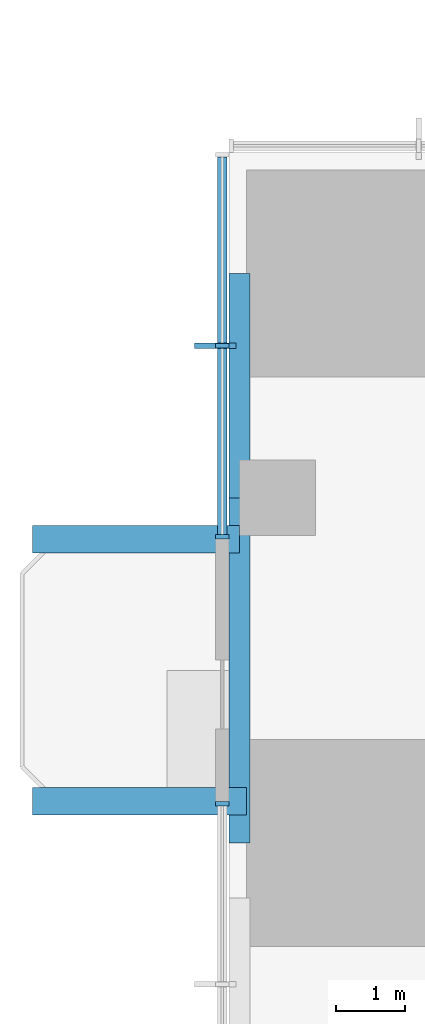
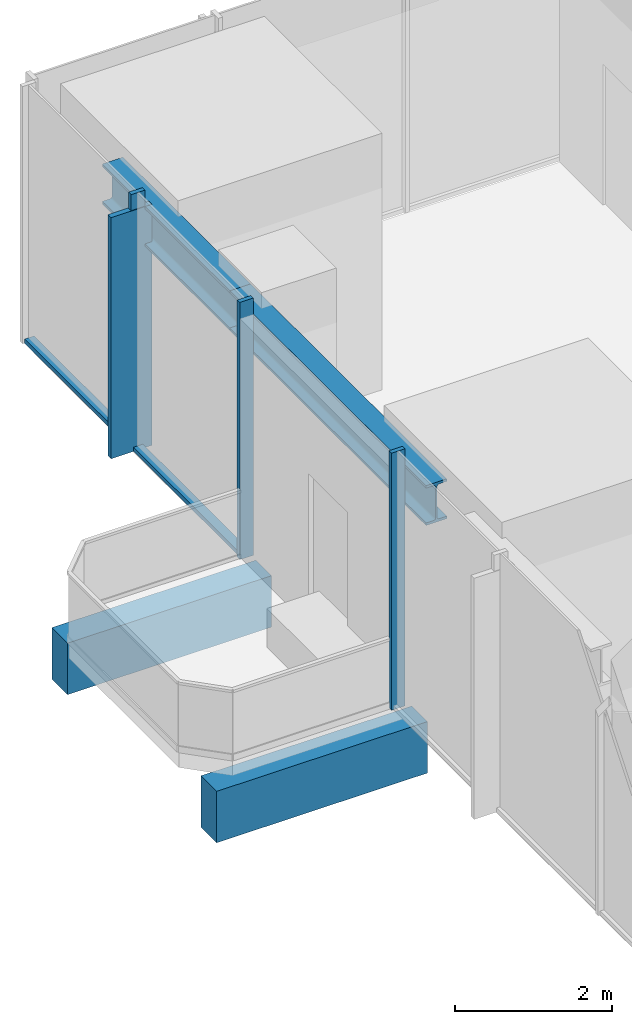
# One storey, part 3 of 13: 6 members, 4 beams, 2 elements without a shape of their own.
"""IFC4 building model written with IfcOpenShell, lengths in metres."""

import ifcopenshell
import ifcopenshell.guid

model = None  # the IFC model being written
_history = None  # IfcOwnerHistory: only IFC2X3 demands one
_inside = {}  # id of a spatial element -> (the spatial element, [elements in it])
_under = {}  # id of a project, library or spatial element -> (it, [spatial elements below it])
_declared = {}  # id of a project -> (the project, [libraries it declares])
_typed = {}  # id of a type object -> (the type object, [elements of that type])
_made_of = {}  # id of a material, layer set ... -> (it, [elements and type objects made of it])


def new_model(schema):
    """Start an empty IFC model of exactly this schema.

    Asked for "IFC4X3", IfcOpenShell would pick the latest addendum, in which some entities
    have other attributes; the version numbers below select the first issue.
    IFC2X3 requires an IfcOwnerHistory on every rooted entity: one is made here for all.
    """
    global model, _history
    if schema == "IFC4X3":
        model = ifcopenshell.file(schema_version=(4, 3, 0, 0))
    else:
        model = ifcopenshell.file(schema=schema)
    _inside.clear()
    _under.clear()
    _declared.clear()
    _typed.clear()
    _made_of.clear()
    _history = None
    if model.schema == "IFC2X3":
        org = make("IfcOrganization", Name="unknown")
        user = make(
            "IfcPersonAndOrganization",
            ThePerson=make("IfcPerson", FamilyName="unknown"),
            TheOrganization=org,
        )
        app = make(
            "IfcApplication",
            ApplicationDeveloper=org,
            Version="unknown",
            ApplicationFullName="unknown",
            ApplicationIdentifier="unknown",
        )
        _history = make(
            "IfcOwnerHistory",
            OwningUser=user,
            OwningApplication=app,
            ChangeAction="ADDED",
            CreationDate=0,
        )
    return model


def make(cls, **values):
    """One entity of the class cls with the attributes given. An attribute that is None is left unset."""
    return model.create_entity(
        cls, **{name: value for name, value in values.items() if value is not None}
    )


def rooted(cls, **values):
    """An entity with a GlobalId (a new one), such as an element, a storey or a relation."""
    return make(cls, GlobalId=ifcopenshell.guid.new(), OwnerHistory=_history, **values)


def si_unit(unit_type, name, prefix=None):
    """IfcSIUnit, for example si_unit("LENGTHUNIT", "METRE", prefix="MILLI")."""
    return make("IfcSIUnit", UnitType=unit_type, Prefix=prefix, Name=name)


def assignment(units):
    """IfcUnitAssignment: the units of a project."""
    return None if units is None else make("IfcUnitAssignment", Units=units)


def point(xyz):
    """IfcCartesianPoint."""
    return None if xyz is None else make("IfcCartesianPoint", Coordinates=xyz)


def direction(xyz):
    """IfcDirection."""
    return None if xyz is None else make("IfcDirection", DirectionRatios=xyz)


def frame(location, z_axis=None, x_axis=None):
    """IfcAxis2Placement3D, a coordinate frame: its origin and axes. An axis left out is left unset."""
    return make(
        "IfcAxis2Placement3D",
        Location=point(location),
        Axis=direction(z_axis),
        RefDirection=direction(x_axis),
    )


def frame_2d(location, x_axis=None):
    """IfcAxis2Placement2D, a coordinate frame in the plane: its origin and x axis."""
    return make(
        "IfcAxis2Placement2D", Location=point(location), RefDirection=direction(x_axis)
    )


def origin():
    """The frame at (0, 0, 0) with its axes left unset."""
    return frame((0.0, 0.0, 0.0))


def origin_2d():
    """The frame at (0, 0) in the plane with its x axis left unset."""
    return frame_2d((0.0, 0.0))


def place(relative_to, where):
    """IfcLocalPlacement: puts the frame where relative to a parent placement (None: the world)."""
    return make(
        "IfcLocalPlacement", PlacementRelTo=relative_to, RelativePlacement=where
    )


def context(
    kind, dimensions, precision=None, world=None, true_north=None, identifier=None
):
    """IfcGeometricRepresentationContext, for example the 3D "Model" context."""
    return make(
        "IfcGeometricRepresentationContext",
        ContextIdentifier=identifier,
        ContextType=kind,
        CoordinateSpaceDimension=dimensions,
        Precision=precision,
        WorldCoordinateSystem=world,
        TrueNorth=true_north,
    )


def subcontext(parent, identifier, kind, view, scale=None):
    """IfcGeometricRepresentationSubContext, for example "Body" below "Model"."""
    return make(
        "IfcGeometricRepresentationSubContext",
        ContextIdentifier=identifier,
        ContextType=kind,
        ParentContext=parent,
        TargetScale=scale,
        TargetView=view,
    )


def project(units=None, contexts=None):
    """IfcProject with its units and contexts."""
    return rooted(
        "IfcProject",
        Name="project",
        RepresentationContexts=contexts,
        UnitsInContext=assignment(units),
    )


def spatial(cls, under=None, at=None, **own):
    """A site, building, storey or space (cls), placed at a placement, below another one or the project."""
    s = rooted(cls, ObjectPlacement=at, **own)
    if under is not None:
        _under.setdefault(under.id(), (under, []))[1].append(s)
    return s


def profile(cls, at=None, kind="AREA", **sizes):
    """A parametric profile (cls). Its sizes go by their IFC names, for example OverallWidth=200.0."""
    return make(cls, ProfileType=kind, Position=at, **sizes)


def rectangle(**sizes):
    """IfcRectangleProfileDef."""
    return profile("IfcRectangleProfileDef", **sizes)


def i_section(**sizes):
    """IfcIShapeProfileDef."""
    return profile("IfcIShapeProfileDef", **sizes)


def extrude(swept, where, along, depth):
    """IfcExtrudedAreaSolid: the profile swept, set in the frame where, extruded along a direction by depth."""
    return make(
        "IfcExtrudedAreaSolid",
        SweptArea=swept,
        Position=where,
        ExtrudedDirection=direction(along),
        Depth=depth,
    )


def shape(context_of_items, identifier, shape_type, items):
    """IfcShapeRepresentation: the items that make up one representation, for example the "Body"."""
    return make(
        "IfcShapeRepresentation",
        ContextOfItems=context_of_items,
        RepresentationIdentifier=identifier,
        RepresentationType=shape_type,
        Items=items,
    )


def material(Name=None, Category=None):
    """IfcMaterial."""
    return make("IfcMaterial", Name=Name, Category=Category)


def material_profile(
    of_material, cross_section, Name=None, Category=None, Priority=None
):
    """IfcMaterialProfile: a cross section and its material."""
    return make(
        "IfcMaterialProfile",
        Name=Name,
        Material=of_material,
        Profile=cross_section,
        Priority=Priority,
        Category=Category,
    )


def profile_set(profiles, Name=None, composite=None):
    """IfcMaterialProfileSet."""
    return make(
        "IfcMaterialProfileSet",
        Name=Name,
        MaterialProfiles=profiles,
        CompositeProfile=composite,
    )


def made_of(thing, what):
    """Note that an element or type object is made of a material, layer set ...; save() writes the relation."""
    if what is not None:
        _made_of.setdefault(what.id(), (what, []))[1].append(thing)
    return thing


def type_object(cls, material=None, **own):
    """A type object (cls), such as IfcWallType, which elements share."""
    return made_of(rooted(cls, **own), material)


def element(
    cls,
    number,
    at=None,
    inside=None,
    cuts=None,
    type_object=None,
    material=None,
    context=None,
    identifier="Body",
    shape_type=None,
    held_by="IfcProductDefinitionShape",
    body=None,
    shapes=None,
    **own,
):
    """One element of the class cls, such as IfcWall. Its Tag is "e" and its number.

    at: its placement. inside: the storey or other place that contains it. cuts: it is an
    opening in that element (IfcRelVoidsElement). A single representation is given by context,
    identifier, shape_type and body (its items); several are given by shapes. held_by: the class
    of the entity that holds the representations. save() writes the other relations.
    """
    e = rooted(cls, Tag="e%d" % number, ObjectPlacement=at, **own)
    if body is not None:
        shapes = [shape(context, identifier, shape_type, body)]
    if shapes is not None:
        e.Representation = make(held_by, Representations=shapes)
    if inside is not None:
        _inside.setdefault(inside.id(), (inside, []))[1].append(e)
    if cuts is not None:
        rooted(
            "IfcRelVoidsElement", RelatingBuildingElement=cuts, RelatedOpeningElement=e
        )
    if type_object is not None:
        _typed.setdefault(type_object.id(), (type_object, []))[1].append(e)
    return made_of(e, material)


def aggregate(whole, parts):
    """IfcRelAggregates: a whole, such as a stair, and the parts it consists of."""
    return rooted("IfcRelAggregates", RelatingObject=whole, RelatedObjects=parts)


def save(model, path):
    """Write the relations noted so far, then the file.

    IfcRelAggregates (storeys below a building ...), IfcRelContainedInSpatialStructure (elements
    in a storey), IfcRelDefinesByType, IfcRelAssociatesMaterial and IfcRelDeclares: one each for
    every whole, place, type object, material and project.
    """
    for whole, parts in _under.values():
        aggregate(whole, parts)
    for where, things in _inside.values():
        rooted(
            "IfcRelContainedInSpatialStructure",
            RelatedElements=things,
            RelatingStructure=where,
        )
    for kind, things in _typed.values():
        rooted("IfcRelDefinesByType", RelatedObjects=things, RelatingType=kind)
    for what, things in _made_of.values():
        rooted("IfcRelAssociatesMaterial", RelatedObjects=things, RelatingMaterial=what)
    for by, libraries in _declared.values():
        rooted("IfcRelDeclares", RelatingContext=by, RelatedDefinitions=libraries)
    model.write(path)


model = new_model("IFC4")

# Units and contexts
model_context = context("Model", 3, precision=1e-05, world=origin(), true_north=direction((0.0, 1.0)))
body_context = subcontext(model_context, "Body", "Model", "MODEL_VIEW")
ifc_project = project(units=[si_unit("LENGTHUNIT", "METRE"), si_unit("AREAUNIT", "SQUARE_METRE"), si_unit("VOLUMEUNIT", "CUBIC_METRE"), si_unit("PLANEANGLEUNIT", "RADIAN"), si_unit("MASSUNIT", "GRAM", prefix="KILO")], contexts=[model_context])

# Site, building, storey
site_placement = place(None, origin())
site = spatial("IfcSite", under=ifc_project, at=site_placement, CompositionType="ELEMENT")
building_placement = place(site_placement, origin())
building = spatial("IfcBuilding", under=site, at=building_placement, Name="Svetlomir Tower", CompositionType="ELEMENT")
storey_placement = place(building_placement, frame((0.0, 0.0, 132.5)))
storey = spatial("IfcBuildingStorey", under=building, at=storey_placement, Name="L31", CompositionType="ELEMENT", Elevation=132.5)

# Beams
ifc_material_1 = material(Name="Concrete C60/75", Category="concrete")
ifc_material_profile_1 = material_profile(ifc_material_1, rectangle(XDim=0.39990234375, YDim=0.800048828125, at=origin_2d()), Name="RC 400x800")
ifc_profile_set_1 = profile_set([ifc_material_profile_1], Name="Concrete C60/75")
beam_type_1 = type_object("IfcBeamType", Name="BALCONY RIB RC 400x800", PredefinedType="BEAM", material=ifc_profile_set_1)
beam_1_placement = place(storey_placement, frame((0.25, 21.60009765625, -0.64990234375), z_axis=(-1.0, 0.0, 0.0), x_axis=(0.0, -1.0, 0.0)))
element("IfcBeam", 1, at=beam_1_placement, inside=storey, type_object=beam_type_1, Name="Balcony rib W 1 L31", PredefinedType="BEAM", context=body_context, shape_type="SweptSolid", body=[
    extrude(rectangle(XDim=0.39990234375, YDim=0.800048828125, at=origin_2d()), origin(), (0.0, 0.0, 1.0), 3.10009765625),
])
beam_2_placement = place(storey_placement, frame((0.14990234375, 25.39990234375, -0.64990234375), z_axis=(-1.0, 0.0, 0.0), x_axis=(0.0, -1.0, 0.0)))
element("IfcBeam", 2, at=beam_2_placement, inside=storey, type_object=beam_type_1, Name="Balcony rib W 2 L31", PredefinedType="BEAM", context=body_context, shape_type="SweptSolid", body=[
    extrude(rectangle(XDim=0.39990234375, YDim=0.800048828125, at=origin_2d()), origin(), (0.0, 0.0, 1.0), 3.0),
])

# Curtain wall, members
ifc_material_2 = material(Name="Bronze anodised aluminium curtain wall", Category="aluminium")
curtain_wall_type = type_object("IfcCurtainWallType", Name="CURTAIN WALL CW1 TOWER OFFICE", PredefinedType="NOTDEFINED", material=ifc_material_2)
curtain_wall_1_placement = place(storey_placement, origin())
curtain_wall_1 = element("IfcCurtainWall", 3, at=curtain_wall_1_placement, inside=storey, type_object=curtain_wall_type, Name="Curtain wall CW1 L31", PredefinedType="NOTDEFINED")
ifc_material_3 = material(Name="Bronze anodised aluminium", Category="aluminium")
ifc_material_profile_2 = material_profile(ifc_material_3, rectangle(XDim=0.080078125, YDim=0.60009765625, at=origin_2d()), Name="FIN 80x600")
ifc_profile_set_2 = profile_set([ifc_material_profile_2], Name="Bronze anodised aluminium 6063-T6")
member_type_1 = type_object("IfcMemberType", Name="BRONZE FIN 80x600", PredefinedType="USERDEFINED", material=ifc_profile_set_2)
member_1_placement = place(storey_placement, frame((-0.199951171875, 28.199951171875, 0.0), z_axis=(0.0, 0.0, 1.0), x_axis=(0.0, 1.0, 0.0)))
member_1 = element("IfcMember", 4, at=member_1_placement, type_object=member_type_1, Name="Bronze fin L31", ObjectType="FIN", PredefinedType="USERDEFINED", context=body_context, shape_type="SweptSolid", body=[
    extrude(rectangle(XDim=0.080078125, YDim=0.60009765625, at=origin_2d()), origin(), (0.0, 0.0, 1.0), 3.75),
])
ifc_material_4 = material(Name="Bronze anodised aluminium", Category="aluminium")
ifc_material_profile_3 = material_profile(ifc_material_4, rectangle(XDim=0.06494140625, YDim=0.199951171875, at=origin_2d()), Name="AL 65x200")
ifc_profile_set_3 = profile_set([ifc_material_profile_3], Name="Bronze anodised aluminium 6063-T6")
member_type_2 = type_object("IfcMemberType", Name="CW1 MULLION 65x200", PredefinedType="MULLION", material=ifc_profile_set_3)
member_2_placement = place(storey_placement, frame((-0.10009765625, 28.199951171875, 0.0), z_axis=(0.0, 0.0, 1.0), x_axis=(0.0, -1.0, 0.0)))
member_2 = element("IfcMember", 5, at=member_2_placement, type_object=member_type_2, Name="CW1 mullion 2", PredefinedType="MULLION", context=body_context, shape_type="SweptSolid", body=[
    extrude(rectangle(XDim=0.06494140625, YDim=0.199951171875, at=origin_2d()), origin(), (0.0, 0.0, 1.0), 4.0),
])
member_3_placement = place(storey_placement, frame((-0.10009765625, 25.4326171875, 0.0), z_axis=(0.0, 0.0, 1.0), x_axis=(0.0, -1.0, 0.0)))
member_3 = element("IfcMember", 6, at=member_3_placement, type_object=member_type_2, Name="CW1 mullion 3", PredefinedType="MULLION", context=body_context, shape_type="SweptSolid", body=[
    extrude(rectangle(XDim=0.06494140625, YDim=0.199951171875, at=origin_2d()), origin(), (0.0, 0.0, 1.0), 4.0),
])

# Curtain wall, member
curtain_wall_2_placement = place(storey_placement, origin())
curtain_wall_2 = element("IfcCurtainWall", 7, at=curtain_wall_2_placement, inside=storey, type_object=curtain_wall_type, Name="Curtain wall CW1 L31", PredefinedType="NOTDEFINED")
member_4_placement = place(storey_placement, frame((-0.10009765625, 21.5673828125, 0.0), z_axis=(0.0, 0.0, 1.0), x_axis=(0.0, -1.0, 0.0)))
member_4 = element("IfcMember", 8, at=member_4_placement, type_object=member_type_2, Name="CW1 mullion 1", PredefinedType="MULLION", context=body_context, shape_type="SweptSolid", body=[
    extrude(rectangle(XDim=0.06494140625, YDim=0.199951171875, at=origin_2d()), origin(), (0.0, 0.0, 1.0), 4.0),
])
aggregate(curtain_wall_2, [member_4])

# Member
ifc_material_5 = material(Name="Bronze anodised aluminium", Category="aluminium")
ifc_material_profile_4 = material_profile(ifc_material_5, rectangle(XDim=0.139892578125, YDim=0.06494140625, at=origin_2d()), Name="AL 140x65")
ifc_profile_set_4 = profile_set([ifc_material_profile_4], Name="Bronze anodised aluminium 6063-T6")
member_type_3 = type_object("IfcMemberType", Name="CW1 TRANSOM 65x140", PredefinedType="USERDEFINED", material=ifc_profile_set_4)
member_5_placement = place(storey_placement, frame((-0.10009765625, 30.93505859375, 0.032470703125), z_axis=(0.0, -1.0, 0.0), x_axis=(1.0, 0.0, 0.0)))
member_5 = element("IfcMember", 9, at=member_5_placement, type_object=member_type_3, Name="CW1 transom 1.1", ObjectType="TRANSOM", PredefinedType="USERDEFINED", context=body_context, shape_type="SweptSolid", body=[
    extrude(rectangle(XDim=0.139892578125, YDim=0.06494140625, at=origin_2d()), origin(), (0.0, 0.0, 1.0), 2.70263671875),
])

member_6_placement = place(storey_placement, frame((-0.10009765625, 28.16748046875, 0.032470703125), z_axis=(0.0, -1.0, 0.0), x_axis=(1.0, 0.0, 0.0)))
member_6 = element("IfcMember", 10, at=member_6_placement, type_object=member_type_3, Name="CW1 transom 2.1", ObjectType="TRANSOM", PredefinedType="USERDEFINED", context=body_context, shape_type="SweptSolid", body=[
    extrude(rectangle(XDim=0.139892578125, YDim=0.06494140625, at=origin_2d()), origin(), (0.0, 0.0, 1.0), 2.702392578125),
])

aggregate(curtain_wall_1, [member_2, member_3, member_5, member_6, member_1])

# Beams
ifc_material_6 = material(Name="Steel S355", Category="steel")
ifc_material_profile_5 = material_profile(ifc_material_6, i_section(OverallWidth=0.304931640625, OverallDepth=0.6201171875, WebThickness=0.02099609375, FlangeThickness=0.0400390625, FilletRadius=0.027099609375, at=origin_2d()), Name="HEM 600")
ifc_profile_set_5 = profile_set([ifc_material_profile_5], Name="Steel S355")
beam_type_2 = type_object("IfcBeamType", Name="EDGE BEAM HEM 600", PredefinedType="SPANDREL", material=ifc_profile_set_5)
beam_3_placement = place(storey_placement, frame((0.152587890625, 21.0, 3.43994140625), z_axis=(0.0, 1.0, 0.0), x_axis=(-1.0, 0.0, 0.0)))
element("IfcBeam", 11, at=beam_3_placement, inside=storey, type_object=beam_type_2, Name="Edge beam 0/21 to 0/26 under L32", PredefinedType="SPANDREL", context=body_context, shape_type="SweptSolid", body=[
    extrude(i_section(OverallWidth=0.304931640625, OverallDepth=0.6201171875, WebThickness=0.02099609375, FlangeThickness=0.0400390625, FilletRadius=0.027099609375, at=origin_2d()), origin(), (0.0, 0.0, 1.0), 5.0),
])
beam_4_placement = place(storey_placement, frame((0.152587890625, 26.0, 3.43994140625), z_axis=(0.0, 1.0, 0.0), x_axis=(-1.0, 0.0, 0.0)))
element("IfcBeam", 12, at=beam_4_placement, inside=storey, type_object=beam_type_2, Name="Edge beam 0/26 to 0/31 under L32", PredefinedType="SPANDREL", context=body_context, shape_type="SweptSolid", body=[
    extrude(i_section(OverallWidth=0.304931640625, OverallDepth=0.6201171875, WebThickness=0.02099609375, FlangeThickness=0.0400390625, FilletRadius=0.027099609375, at=origin_2d()), origin(), (0.0, 0.0, 1.0), 3.25),
])

save(model, "model.ifc")
